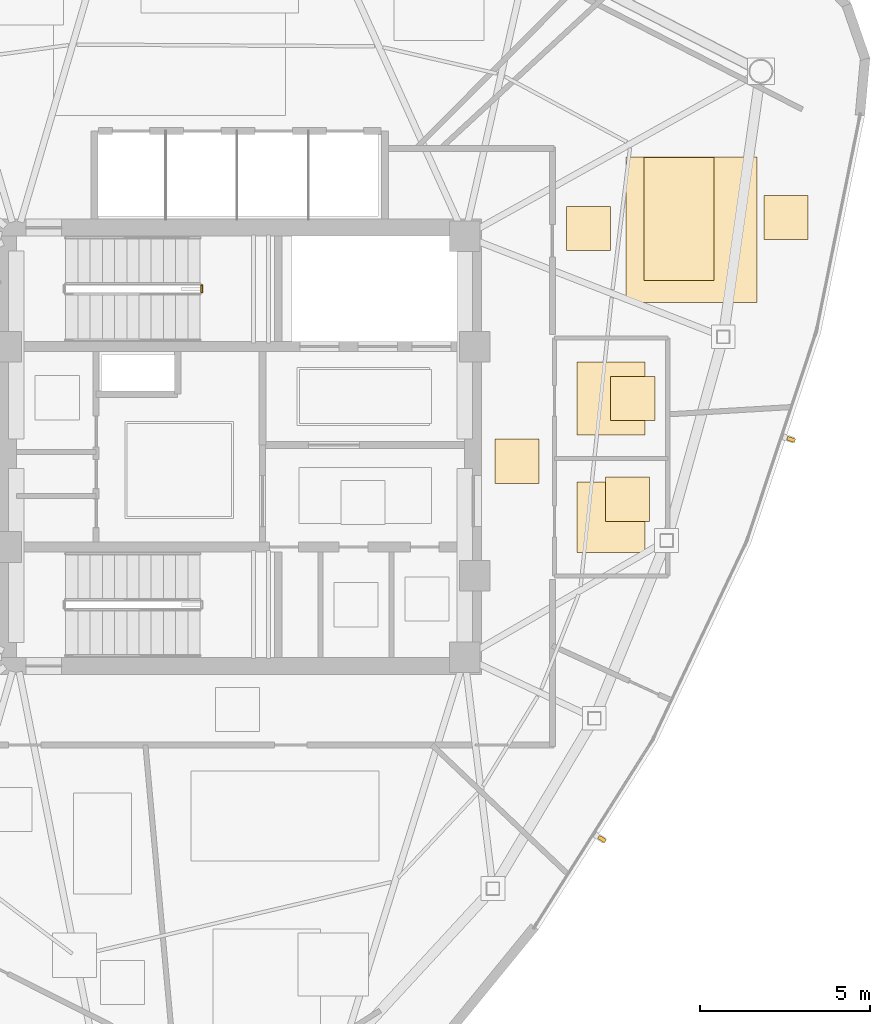
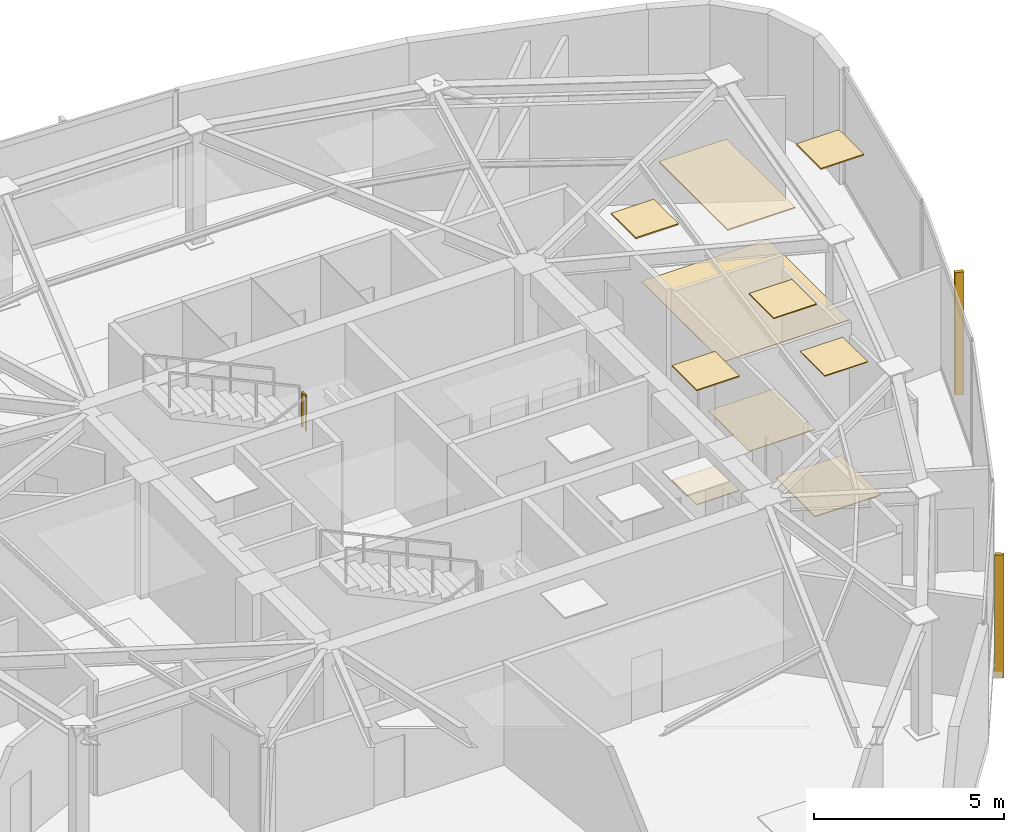
# One storey, part 12 of 13: 10 coverings, 2 shading devices, 1 railing.
"""IFC4 building model written with IfcOpenShell, lengths in metres."""

from ifc_helpers import new_model, si_unit, direction, frame, origin, origin_2d, place, context, subcontext, project, spatial, polyline, rectangle, outline, extrude, source, transform, mapped, material, layer, layer_set, type_object, type_shapes, element, save


model = new_model("IFC4")

# Units and contexts
model_context = context("Model", 3, precision=1e-05, world=origin(), true_north=direction((0.0, 1.0)))
body_context = subcontext(model_context, "Body", "Model", "MODEL_VIEW")
ifc_project = project(units=[si_unit("LENGTHUNIT", "METRE"), si_unit("AREAUNIT", "SQUARE_METRE"), si_unit("VOLUMEUNIT", "CUBIC_METRE"), si_unit("PLANEANGLEUNIT", "RADIAN"), si_unit("MASSUNIT", "GRAM", prefix="KILO")], contexts=[model_context])

# Site, building, storey
site_placement = place(None, origin())
site = spatial("IfcSite", under=ifc_project, at=site_placement, CompositionType="ELEMENT")
building_placement = place(site_placement, origin())
building = spatial("IfcBuilding", under=site, at=building_placement, Name="Tavelor Broadcast Tower", CompositionType="ELEMENT")
storey_placement = place(building_placement, frame((0.0, 0.0, 301.5)))
storey = spatial("IfcBuildingStorey", under=building, at=storey_placement, Name="L72", CompositionType="ELEMENT", Elevation=301.5)

# Coverings
ifc_material_1 = material(Name="Architectural Anodized Aluminium", Category="aluminium")
ifc_layer_1 = layer(ifc_material_1, 0.034912109375)
ifc_layer_set_1 = layer_set([ifc_layer_1], Name="Architectural Anodized Aluminium")
covering_type_1 = type_object("IfcCoveringType", Name="Demountable Metal Tile Corridor Ceiling 35 mm", PredefinedType="CEILING", material=ifc_layer_set_1)
covering_1_placement = place(storey_placement, frame((0.0, 0.0, 3.6650390625)))
element("IfcCovering", 1, at=covering_1_placement, inside=storey, type_object=covering_type_1, Name="L72 Suspended Acoustic Ceiling 2737", PredefinedType="CEILING", context=body_context, shape_type="SweptSolid", body=[
    extrude(outline(polyline([(57.489990234375, 43.925048828125), (58.7900390625, 43.925048828125), (58.7900390625, 45.22509765625), (57.489990234375, 45.22509765625), (57.489990234375, 43.925048828125)])), origin(), (0.0, 0.0, 1.0), 0.034912109375),
])
ifc_material_2 = material(Name="Acoustic Nylon Carpet Tile")
ifc_layer_2 = layer(ifc_material_2, 0.02001953125)
ifc_layer_set_2 = layer_set([ifc_layer_2], Name="Acoustic Nylon Carpet Tile")
covering_type_2 = type_object("IfcCoveringType", Name="Heavy-Duty Acoustic Broadcast Carpet Tile 20 mm", PredefinedType="FLOORING", material=ifc_layer_set_2)
covering_2_placement = place(storey_placement, origin())
element("IfcCovering", 2, at=covering_2_placement, inside=storey, type_object=covering_type_2, Name="L72 Broadcast Floor Finish 1072", PredefinedType="FLOORING", context=body_context, shape_type="SweptSolid", body=[
    extrude(outline(polyline([(57.489990234375, 43.925048828125), (58.7900390625, 43.925048828125), (58.7900390625, 45.22509765625), (57.489990234375, 45.22509765625), (57.489990234375, 43.925048828125)])), origin(), (0.0, 0.0, 1.0), 0.02001953125),
])
covering_3_placement = place(storey_placement, origin())
element("IfcCovering", 3, at=covering_3_placement, inside=storey, type_object=covering_type_2, Name="L72 Broadcast Floor Finish 1082", PredefinedType="FLOORING", context=body_context, shape_type="SweptSolid", body=[
    extrude(outline(polyline([(61.353515625, 49.24951171875), (65.205810546875, 49.24951171875), (65.205810546875, 53.528564453125), (61.353515625, 53.528564453125), (61.353515625, 49.24951171875)])), origin(), (0.0, 0.0, 1.0), 0.02001953125),
])
ifc_layer_3 = layer(ifc_material_1, 0.030029296875)
ifc_layer_set_3 = layer_set([ifc_layer_3], Name="Architectural Anodized Aluminium")
covering_type_3 = type_object("IfcCoveringType", Name="Moisture-Resistant Washroom Ceiling 30 mm", PredefinedType="CEILING", material=ifc_layer_set_3)
covering_4_placement = place(storey_placement, frame((0.0, 0.0, 3.669921875)))
element("IfcCovering", 4, at=covering_4_placement, inside=storey, type_object=covering_type_3, Name="L72 Suspended Acoustic Ceiling 2740", PredefinedType="CEILING", context=body_context, shape_type="SweptSolid", body=[
    extrude(outline(polyline([(60.739013671875, 42.806884765625), (62.0390625, 42.806884765625), (62.0390625, 44.106689453125), (60.739013671875, 44.106689453125), (60.739013671875, 42.806884765625)])), origin(), (0.0, 0.0, 1.0), 0.030029296875),
])
covering_5_placement = place(storey_placement, frame((0.0, 0.0, 3.669921875)))
element("IfcCovering", 5, at=covering_5_placement, inside=storey, type_object=covering_type_3, Name="L72 Suspended Acoustic Ceiling 2741", PredefinedType="CEILING", context=body_context, shape_type="SweptSolid", body=[
    extrude(outline(polyline([(60.898681640625, 45.77490234375), (62.19873046875, 45.77490234375), (62.19873046875, 47.074951171875), (60.898681640625, 47.074951171875), (60.898681640625, 45.77490234375)])), origin(), (0.0, 0.0, 1.0), 0.030029296875),
])
ifc_material_3 = material(Name="Slip-Resistant Porcelain Tile")
ifc_layer_4 = layer(ifc_material_3, 0.02490234375)
ifc_layer_set_4 = layer_set([ifc_layer_4], Name="Slip-Resistant Porcelain Tile")
covering_type_4 = type_object("IfcCoveringType", Name="Slip-Resistant Porcelain Wet-Area Floor Tile 25 mm", PredefinedType="FLOORING", material=ifc_layer_set_4)
covering_6_placement = place(storey_placement, origin())
element("IfcCovering", 6, at=covering_6_placement, inside=storey, type_object=covering_type_4, Name="L72 Broadcast Floor Finish 1074", PredefinedType="FLOORING", context=body_context, shape_type="SweptSolid", body=[
    extrude(outline(polyline([(59.91064453125, 41.885986328125), (61.909423828125, 41.885986328125), (61.909423828125, 43.964111328125), (59.91064453125, 43.964111328125), (59.91064453125, 41.885986328125)])), origin(), (0.0, 0.0, 1.0), 0.02490234375),
])
covering_7_placement = place(storey_placement, origin())
element("IfcCovering", 7, at=covering_7_placement, inside=storey, type_object=covering_type_4, Name="L72 Broadcast Floor Finish 1075", PredefinedType="FLOORING", context=body_context, shape_type="SweptSolid", body=[
    extrude(outline(polyline([(59.91064453125, 45.35009765625), (61.909423828125, 45.35009765625), (61.909423828125, 47.5), (59.91064453125, 47.5), (59.91064453125, 45.35009765625)])), origin(), (0.0, 0.0, 1.0), 0.02490234375),
])

# Railing
ifc_material_4 = material(Name="Steel S355", Category="steel")
railing_type = type_object("IfcRailingType", Name="Stairwell Steel Safety Guardrail 1150 mm", PredefinedType="GUARDRAIL", material=ifc_material_4)
railing_placement = place(storey_placement, frame((48.860107421875, 49.550048828125, 2.0)))
element("IfcRailing", 8, at=railing_placement, inside=storey, type_object=railing_type, Name="L72 ST1 stair guard 2", PredefinedType="GUARDRAIL", context=body_context, shape_type="SweptSolid", body=[
    extrude(rectangle(XDim=0.048095703125, YDim=0.048095703125, at=origin_2d()), frame((0.0, 0.0, 1.1259765625), z_axis=(0.0, 1.0, 0.0), x_axis=(-1.0, 0.0, 0.0)), (0.0, 0.0, 1.0), 0.199951171875),
    extrude(rectangle(XDim=0.0419921875, YDim=0.0419921875, at=origin_2d()), origin(), (0.0, 0.0, 1.0), 1.101806640625),
    extrude(rectangle(XDim=0.0419921875, YDim=0.0419921875, at=origin_2d()), frame((0.0, 0.199951171875, 0.0)), (0.0, 0.0, 1.0), 1.101806640625),
])

# Coverings
ifc_material_5 = material(Name="Acoustic Mineral Fibre Tile")
ifc_layer_5 = layer(ifc_material_5, 0.0400390625)
ifc_layer_set_5 = layer_set([ifc_layer_5], Name="Acoustic Mineral Fibre Tile")
covering_type_5 = type_object("IfcCoveringType", Name="Suspended Acoustic Mineral-Fibre Office Ceiling 40 mm", PredefinedType="CEILING", material=ifc_layer_set_5)
covering_8_placement = place(storey_placement, frame((0.0, 0.0, 3.659912109375)))
element("IfcCovering", 9, at=covering_8_placement, inside=storey, type_object=covering_type_5, Name="L72 Suspended Acoustic Ceiling 2757", PredefinedType="CEILING", context=body_context, shape_type="SweptSolid", body=[
    extrude(outline(polyline([(61.876220703125, 49.8955078125), (63.9375, 49.8955078125), (63.9375, 53.515380859375), (61.876220703125, 53.515380859375), (61.876220703125, 49.8955078125)])), origin(), (0.0, 0.0, 1.0), 0.0400390625),
])
covering_9_placement = place(storey_placement, frame((0.0, 0.0, 3.659912109375)))
element("IfcCovering", 10, at=covering_9_placement, inside=storey, type_object=covering_type_5, Name="L72 Suspended Acoustic Ceiling 2758", PredefinedType="CEILING", context=body_context, shape_type="SweptSolid", body=[
    extrude(outline(polyline([(65.411865234375, 51.099853515625), (66.7119140625, 51.099853515625), (66.7119140625, 52.39990234375), (65.411865234375, 52.39990234375), (65.411865234375, 51.099853515625)])), origin(), (0.0, 0.0, 1.0), 0.0400390625),
])
covering_10_placement = place(storey_placement, frame((0.0, 0.0, 3.659912109375)))
element("IfcCovering", 11, at=covering_10_placement, inside=storey, type_object=covering_type_5, Name="L72 Suspended Acoustic Ceiling 2759", PredefinedType="CEILING", context=body_context, shape_type="SweptSolid", body=[
    extrude(outline(polyline([(59.596435546875, 50.781494140625), (60.896484375, 50.781494140625), (60.896484375, 52.08154296875), (59.596435546875, 52.08154296875), (59.596435546875, 50.781494140625)])), origin(), (0.0, 0.0, 1.0), 0.0400390625),
])

# Shading devices
ifc_material_6 = material(Name="Kiln-Fired Glazed Terracotta", Category="masonry")
shading_device_type = type_object("IfcShadingDeviceType", Name="Extruded Terracotta Baguette Sun-Screen 110x240", PredefinedType="JALOUSIE", material=ifc_material_6)
shared_shape = source(origin(), body_context, "Body", "SweptSolid", [
    extrude(rectangle(XDim=0.110107421875, YDim=0.239990234375, at=origin_2d()), origin(), (0.0, 0.0, 1.0), 3.93994140625),
])
type_shapes(shading_device_type, [shared_shape])
for number, where, z_axis, x_axis, name in (
    (12, (60.642333984375, 33.44921875, -0.260009765625), (0.0, 0.0, 1.0), (0.534057264801, 0.845448305879, 0.0), "L72 Terracotta Baguette Fin 705"),
    (13, (66.211181640625, 45.21728515625, -0.260009765625), (0.0, 0.0, 1.0), (0.315152163383, 0.949041155016, 0.0), "L72 Terracotta Baguette Fin 706"),
):
    element("IfcShadingDevice", number, at=place(storey_placement, frame(where, z_axis=z_axis, x_axis=x_axis)), inside=storey, type_object=shading_device_type, Name=name, PredefinedType="JALOUSIE", context=body_context, shape_type="MappedRepresentation", body=[
        mapped(shared_shape, transform((0.0, 0.0, 0.0), scale=1.0)),
    ])

save(model, "model.ifc")
